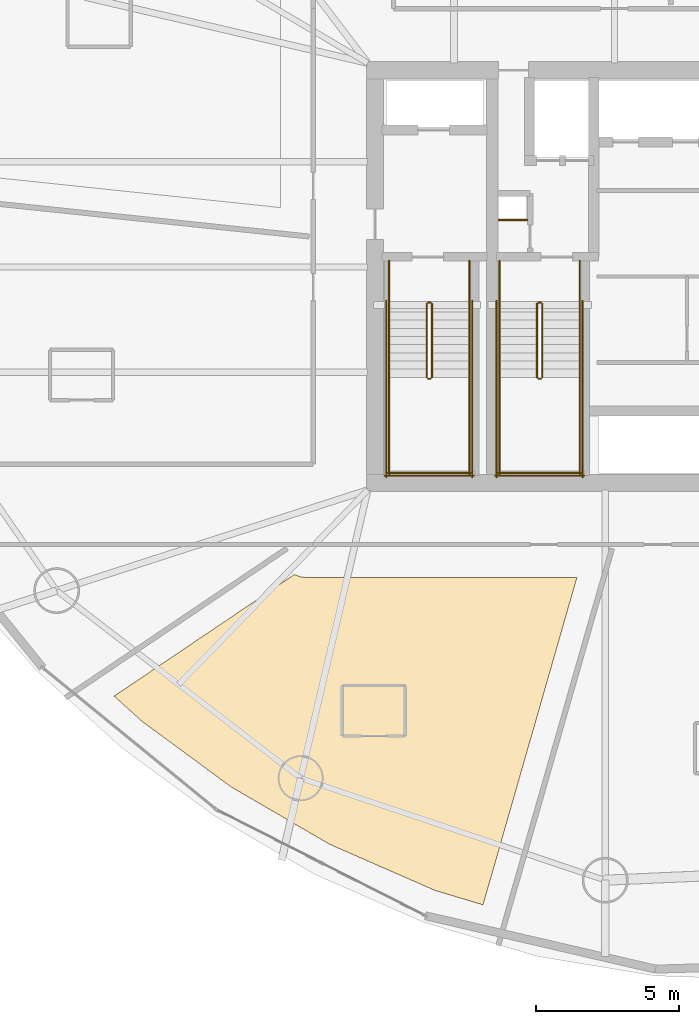
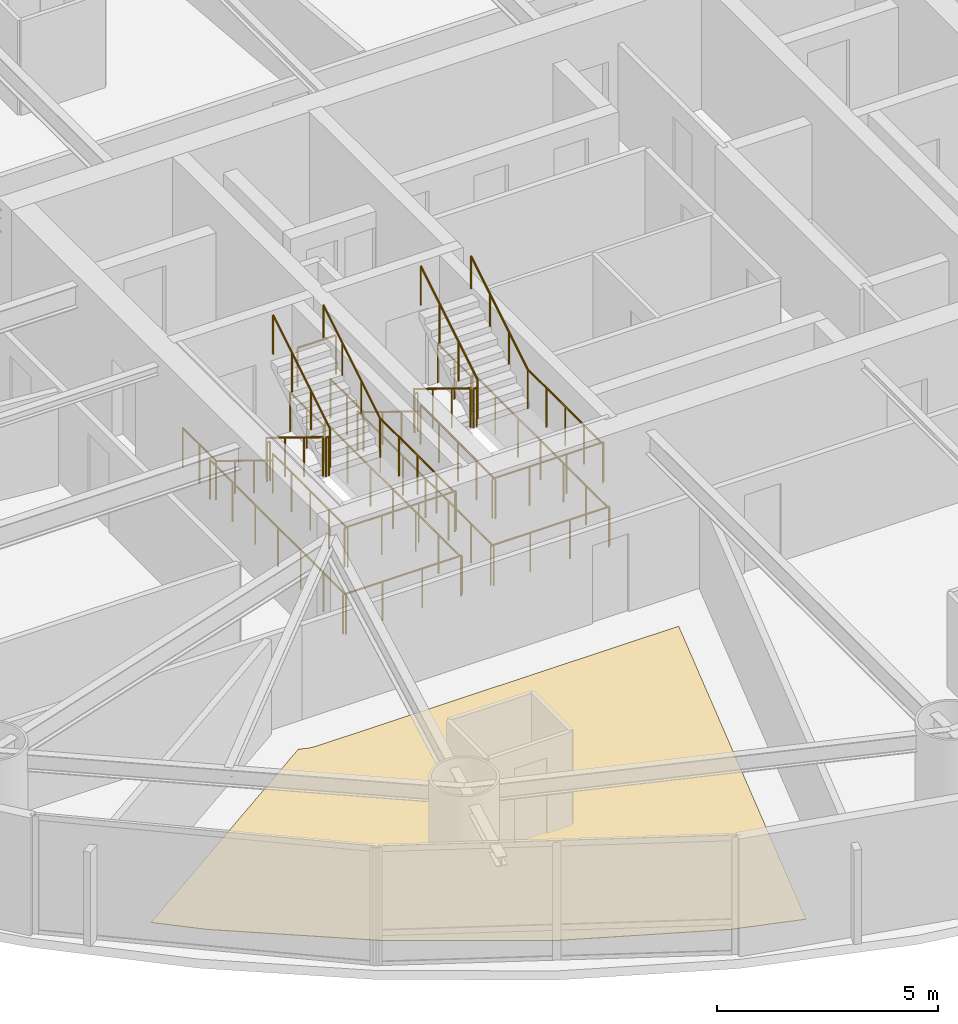
# One storey, part 18 of 20: 29 railings, 1 covering.
"""IFC4 building model written with IfcOpenShell, lengths in metres."""

from ifc_helpers import new_model, si_unit, direction, frame, origin, origin_2d, place, context, subcontext, project, spatial, polyline, circle, outline, extrude, material, layer, layer_set, type_object, element, save


model = new_model("IFC4")

# Units and contexts
model_context = context("Model", 3, precision=1e-05, world=origin(), true_north=direction((0.0, 1.0)))
body_context = subcontext(model_context, "Body", "Model", "MODEL_VIEW")
ifc_project = project(units=[si_unit("LENGTHUNIT", "METRE"), si_unit("AREAUNIT", "SQUARE_METRE"), si_unit("VOLUMEUNIT", "CUBIC_METRE"), si_unit("PLANEANGLEUNIT", "RADIAN"), si_unit("MASSUNIT", "GRAM", prefix="KILO")], contexts=[model_context])

# Site, building, storey
site_placement = place(None, origin())
site = spatial("IfcSite", under=ifc_project, at=site_placement, CompositionType="ELEMENT")
building_placement = place(site_placement, origin())
building = spatial("IfcBuilding", under=site, at=building_placement, Name="Bramvorn Convention Spire", CompositionType="ELEMENT")
storey_placement = place(building_placement, frame((0.0, 0.0, 58.89990234375)))
storey = spatial("IfcBuildingStorey", under=building, at=storey_placement, Name="L12", CompositionType="ELEMENT", Elevation=58.89990234375)

# Covering
ifc_material_1 = material(Name="Solution-Dyed Wool Broadloom Hospitality Carpet", Category="textile")
ifc_layer = layer(ifc_material_1, 0.014892578125)
ifc_layer_set = layer_set([ifc_layer], Name="Solution-Dyed Wool Broadloom Hospitality Carpet - FLR-CARPET-15")
covering_type = type_object("IfcCoveringType", Name="FLR-CARPET-15", PredefinedType="FLOORING", material=ifc_layer_set)
covering_placement = place(storey_placement, origin())
element("IfcCovering", 1, at=covering_placement, inside=storey, type_object=covering_type, Name="Hotel Suite 1207 wool broadloom carpet", PredefinedType="FLOORING", context=body_context, shape_type="SweptSolid", body=[
    extrude(outline(polyline([(17.89990234375, 11.356689453125), (18.862060546875, 10.484619140625), (21.997802734375, 8.179443359375), (25.42626953125, 6.18408203125), (29.0908203125, 4.578125), (30.776123046875, 4.072509765625), (34.052978515625, 15.5), (24.60009765625, 15.5), (24.42431640625, 15.517333984375), (24.190185546875, 15.599609375), (17.89990234375, 11.356689453125)])), origin(), (0.0, 0.0, 1.0), 0.01513671875),
])

# Railings
ifc_material_2 = material(Name="Painted Steel Balustrade & Guardrail", Category="steel")
railing_type_1 = type_object("IfcRailingType", Name="RL-STAIR-GUARD-1100", PredefinedType="GUARDRAIL", material=ifc_material_2)
railing_1_placement = place(storey_placement, frame((28.81005859375, 25.050048828125, 0.175048828125)))
element("IfcRailing", 2, at=railing_1_placement, inside=storey, type_object=railing_type_1, Name="L12 ST1 stair guard 1", PredefinedType="GUARDRAIL", context=body_context, shape_type="SweptSolid", body=[
    extrude(circle(Radius=0.02392578125, at=origin_2d()), frame((0.0, 0.0, 1.076171875), z_axis=(0.0, -0.852173129349, 0.523259933127), x_axis=(1.0, 0.0, 0.0)), (0.0, 0.0, 1.0), 3.009765625),
    extrude(circle(Radius=0.02099609375, at=origin_2d()), origin(), (0.0, 0.0, 1.0), 1.052001953125),
    extrude(circle(Radius=0.02099609375, at=origin_2d()), frame((0.0, -0.85498046875, 0.52490234375)), (0.0, 0.0, 1.0), 1.052001953125),
    extrude(circle(Radius=0.02099609375, at=origin_2d()), frame((0.0, -1.7099609375, 1.050048828125)), (0.0, 0.0, 1.0), 1.052001953125),
    extrude(circle(Radius=0.02099609375, at=origin_2d()), frame((0.0, -2.56494140625, 1.574951171875)), (0.0, 0.0, 1.0), 1.052001953125),
])
railing_2_placement = place(storey_placement, frame((28.860107421875, 22.43505859375, 1.75)))
element("IfcRailing", 3, at=railing_2_placement, inside=storey, type_object=railing_type_1, Name="L12 ST1 stair guard 2", PredefinedType="GUARDRAIL", context=body_context, shape_type="SweptSolid", body=[
    extrude(circle(Radius=0.02392578125, at=origin_2d()), frame((0.0, 0.0, 1.076171875), z_axis=(1.0, 0.0, 0.0), x_axis=(0.0, 1.0, 0.0)), (0.0, 0.0, 1.0), 0.079833984375),
    extrude(circle(Radius=0.02099609375, at=origin_2d()), origin(), (0.0, 0.0, 1.0), 1.052001953125),
    extrude(circle(Radius=0.02099609375, at=origin_2d()), frame((0.079833984375, 0.0, 0.0)), (0.0, 0.0, 1.0), 1.052001953125),
])
for number, where, name in (
    (4, (27.5, 22.485107421875, 1.75), "L12 ST1 stair guard 3"),
    (5, (30.300048828125, 22.485107421875, 1.75), "L12 ST1 stair guard 4"),
):
    element("IfcRailing", number, at=place(storey_placement, frame(where)), inside=storey, type_object=railing_type_1, Name=name, PredefinedType="GUARDRAIL", context=body_context, shape_type="SweptSolid", body=[
        extrude(circle(Radius=0.02392578125, at=origin_2d()), frame((0.0, 0.0, 1.076171875), z_axis=(0.0, -1.0, 0.0), x_axis=(1.0, 0.0, 0.0)), (0.0, 0.0, 1.0), 3.385009765625),
        extrude(circle(Radius=0.02099609375, at=origin_2d()), origin(), (0.0, 0.0, 1.0), 1.052001953125),
        extrude(circle(Radius=0.02099609375, at=origin_2d()), frame((0.0, -0.84619140625, 0.0)), (0.0, 0.0, 1.0), 1.052001953125),
        extrude(circle(Radius=0.02099609375, at=origin_2d()), frame((0.0, -1.6923828125, 0.0)), (0.0, 0.0, 1.0), 1.052001953125),
        extrude(circle(Radius=0.02099609375, at=origin_2d()), frame((0.0, -2.538818359375, 0.0)), (0.0, 0.0, 1.0), 1.052001953125),
        extrude(circle(Radius=0.02099609375, at=origin_2d()), frame((0.0, -3.385009765625, 0.0)), (0.0, 0.0, 1.0), 1.052001953125),
    ])
railing_3_placement = place(storey_placement, frame((27.449951171875, 19.14990234375, 1.75)))
element("IfcRailing", 6, at=railing_3_placement, inside=storey, type_object=railing_type_1, Name="L12 ST1 stair guard 5", PredefinedType="GUARDRAIL", context=body_context, shape_type="SweptSolid", body=[
    extrude(circle(Radius=0.02392578125, at=origin_2d()), frame((0.0, 0.0, 1.076171875), z_axis=(1.0, 0.0, 0.0), x_axis=(0.0, 1.0, 0.0)), (0.0, 0.0, 1.0), 2.900146484375),
    extrude(circle(Radius=0.02099609375, at=origin_2d()), origin(), (0.0, 0.0, 1.0), 1.052001953125),
    extrude(circle(Radius=0.02099609375, at=origin_2d()), frame((0.966796875, 0.0, 0.0)), (0.0, 0.0, 1.0), 1.052001953125),
    extrude(circle(Radius=0.02099609375, at=origin_2d()), frame((1.933349609375, 0.0, 0.0)), (0.0, 0.0, 1.0), 1.052001953125),
    extrude(circle(Radius=0.02099609375, at=origin_2d()), frame((2.900146484375, 0.0, 0.0)), (0.0, 0.0, 1.0), 1.052001953125),
])
railing_4_placement = place(storey_placement, frame((28.989990234375, 22.485107421875, 1.925048828125)))
element("IfcRailing", 7, at=railing_4_placement, inside=storey, type_object=railing_type_1, Name="L12 ST1 stair guard 6", PredefinedType="GUARDRAIL", context=body_context, shape_type="SweptSolid", body=[
    extrude(circle(Radius=0.02392578125, at=origin_2d()), frame((0.0, 0.0, 1.076171875), z_axis=(0.0, 0.852173129349, 0.523259933127), x_axis=(-1.0, 0.0, 0.0)), (0.0, 0.0, 1.0), 3.009765625),
    extrude(circle(Radius=0.02099609375, at=origin_2d()), origin(), (0.0, 0.0, 1.0), 1.052001953125),
    extrude(circle(Radius=0.02099609375, at=origin_2d()), frame((0.0, 0.85498046875, 0.52490234375)), (0.0, 0.0, 1.0), 1.052001953125),
    extrude(circle(Radius=0.02099609375, at=origin_2d()), frame((0.0, 1.7099609375, 1.050048828125)), (0.0, 0.0, 1.0), 1.052001953125),
    extrude(circle(Radius=0.02099609375, at=origin_2d()), frame((0.0, 2.56494140625, 1.574951171875)), (0.0, 0.0, 1.0), 1.052001953125),
])
railing_5_placement = place(storey_placement, frame((28.860107421875, 25.10009765625, 0.0)))
element("IfcRailing", 8, at=railing_5_placement, inside=storey, type_object=railing_type_1, Name="L12 ST1 stair guard 7", PredefinedType="GUARDRAIL", context=body_context, shape_type="SweptSolid", body=[
    extrude(circle(Radius=0.02392578125, at=origin_2d()), frame((0.0, 0.0, 1.076171875), z_axis=(1.0, 0.0, 0.0), x_axis=(0.0, 1.0, 0.0)), (0.0, 0.0, 1.0), 0.079833984375),
    extrude(circle(Radius=0.02099609375, at=origin_2d()), origin(), (0.0, 0.0, 1.0), 1.052001953125),
    extrude(circle(Radius=0.02099609375, at=origin_2d()), frame((0.079833984375, 0.0, 0.0)), (0.0, 0.0, 1.0), 1.052001953125),
])
for number, where, name in (
    (9, (27.5, 26.550048828125, 0.0), "L12 ST1 stair guard 8"),
    (10, (30.300048828125, 26.550048828125, 0.0), "L12 ST1 stair guard 9"),
):
    element("IfcRailing", number, at=place(storey_placement, frame(where)), inside=storey, type_object=railing_type_1, Name=name, PredefinedType="GUARDRAIL", context=body_context, shape_type="SweptSolid", body=[
        extrude(circle(Radius=0.02392578125, at=origin_2d()), frame((0.0, 0.0, 1.076171875), z_axis=(0.0, -1.0, 0.0), x_axis=(1.0, 0.0, 0.0)), (0.0, 0.0, 1.0), 1.5),
        extrude(circle(Radius=0.02099609375, at=origin_2d()), origin(), (0.0, 0.0, 1.0), 1.052001953125),
        extrude(circle(Radius=0.02099609375, at=origin_2d()), frame((0.0, -0.75, 0.0)), (0.0, 0.0, 1.0), 1.052001953125),
        extrude(circle(Radius=0.02099609375, at=origin_2d()), frame((0.0, -1.5, 0.0)), (0.0, 0.0, 1.0), 1.052001953125),
    ])
for number, where, name in (
    (11, (27.39990234375, 25.14990234375, 0.0), "L12 ST1 stair guard 10"),
    (12, (30.39990234375, 25.14990234375, 0.0), "L12 ST1 stair guard 11"),
):
    element("IfcRailing", number, at=place(storey_placement, frame(where)), inside=storey, type_object=railing_type_1, Name=name, PredefinedType="GUARDRAIL", context=body_context, shape_type="SweptSolid", body=[
        extrude(circle(Radius=0.02392578125, at=origin_2d()), frame((0.0, 0.0, 1.076171875), z_axis=(0.0, -1.0, 0.0), x_axis=(1.0, 0.0, 0.0)), (0.0, 0.0, 1.0), 6.14990234375),
        extrude(circle(Radius=0.02099609375, at=origin_2d()), origin(), (0.0, 0.0, 1.0), 1.052001953125),
        extrude(circle(Radius=0.02099609375, at=origin_2d()), frame((0.0, -1.02490234375, 0.0)), (0.0, 0.0, 1.0), 1.052001953125),
        extrude(circle(Radius=0.02099609375, at=origin_2d()), frame((0.0, -2.050048828125, 0.0)), (0.0, 0.0, 1.0), 1.052001953125),
        extrude(circle(Radius=0.02099609375, at=origin_2d()), frame((0.0, -3.074951171875, 0.0)), (0.0, 0.0, 1.0), 1.052001953125),
        extrude(circle(Radius=0.02099609375, at=origin_2d()), frame((0.0, -4.099853515625, 0.0)), (0.0, 0.0, 1.0), 1.052001953125),
        extrude(circle(Radius=0.02099609375, at=origin_2d()), frame((0.0, -5.125, 0.0)), (0.0, 0.0, 1.0), 1.052001953125),
        extrude(circle(Radius=0.02099609375, at=origin_2d()), frame((0.0, -6.14990234375, 0.0)), (0.0, 0.0, 1.0), 1.052001953125),
    ])
railing_6_placement = place(storey_placement, frame((27.35009765625, 19.050048828125, 0.0)))
element("IfcRailing", 13, at=railing_6_placement, inside=storey, type_object=railing_type_1, Name="L12 ST1 stair guard 12", PredefinedType="GUARDRAIL", context=body_context, shape_type="SweptSolid", body=[
    extrude(circle(Radius=0.02392578125, at=origin_2d()), frame((0.0, 0.0, 1.076171875), z_axis=(1.0, 0.0, 0.0), x_axis=(0.0, 1.0, 0.0)), (0.0, 0.0, 1.0), 3.099853515625),
    extrude(circle(Radius=0.02099609375, at=origin_2d()), origin(), (0.0, 0.0, 1.0), 1.052001953125),
    extrude(circle(Radius=0.02099609375, at=origin_2d()), frame((1.033203125, 0.0, 0.0)), (0.0, 0.0, 1.0), 1.052001953125),
    extrude(circle(Radius=0.02099609375, at=origin_2d()), frame((2.066650390625, 0.0, 0.0)), (0.0, 0.0, 1.0), 1.052001953125),
    extrude(circle(Radius=0.02099609375, at=origin_2d()), frame((3.099853515625, 0.0, 0.0)), (0.0, 0.0, 1.0), 1.052001953125),
])
railing_7_placement = place(storey_placement, frame((32.659912109375, 25.050048828125, 0.175048828125)))
element("IfcRailing", 14, at=railing_7_placement, inside=storey, type_object=railing_type_1, Name="L12 ST3 stair guard 1", PredefinedType="GUARDRAIL", context=body_context, shape_type="SweptSolid", body=[
    extrude(circle(Radius=0.02392578125, at=origin_2d()), frame((0.0, 0.0, 1.076171875), z_axis=(0.0, -0.852173129349, 0.523259933127), x_axis=(1.0, 0.0, 0.0)), (0.0, 0.0, 1.0), 3.009765625),
    extrude(circle(Radius=0.02099609375, at=origin_2d()), origin(), (0.0, 0.0, 1.0), 1.052001953125),
    extrude(circle(Radius=0.02099609375, at=origin_2d()), frame((0.0, -0.85498046875, 0.52490234375)), (0.0, 0.0, 1.0), 1.052001953125),
    extrude(circle(Radius=0.02099609375, at=origin_2d()), frame((0.0, -1.7099609375, 1.050048828125)), (0.0, 0.0, 1.0), 1.052001953125),
    extrude(circle(Radius=0.02099609375, at=origin_2d()), frame((0.0, -2.56494140625, 1.574951171875)), (0.0, 0.0, 1.0), 1.052001953125),
])
railing_8_placement = place(storey_placement, frame((32.7099609375, 22.43505859375, 1.75)))
element("IfcRailing", 15, at=railing_8_placement, inside=storey, type_object=railing_type_1, Name="L12 ST3 stair guard 2", PredefinedType="GUARDRAIL", context=body_context, shape_type="SweptSolid", body=[
    extrude(circle(Radius=0.02392578125, at=origin_2d()), frame((0.0, 0.0, 1.076171875), z_axis=(1.0, 0.0, 0.0), x_axis=(0.0, 1.0, 0.0)), (0.0, 0.0, 1.0), 0.080078125),
    extrude(circle(Radius=0.02099609375, at=origin_2d()), origin(), (0.0, 0.0, 1.0), 1.052001953125),
    extrude(circle(Radius=0.02099609375, at=origin_2d()), frame((0.080078125, 0.0, 0.0)), (0.0, 0.0, 1.0), 1.052001953125),
])
for number, where, name in (
    (16, (31.35009765625, 22.485107421875, 1.75), "L12 ST3 stair guard 3"),
    (17, (34.14990234375, 22.485107421875, 1.75), "L12 ST3 stair guard 4"),
):
    element("IfcRailing", number, at=place(storey_placement, frame(where)), inside=storey, type_object=railing_type_1, Name=name, PredefinedType="GUARDRAIL", context=body_context, shape_type="SweptSolid", body=[
        extrude(circle(Radius=0.02392578125, at=origin_2d()), frame((0.0, 0.0, 1.076171875), z_axis=(0.0, -1.0, 0.0), x_axis=(1.0, 0.0, 0.0)), (0.0, 0.0, 1.0), 3.385009765625),
        extrude(circle(Radius=0.02099609375, at=origin_2d()), origin(), (0.0, 0.0, 1.0), 1.052001953125),
        extrude(circle(Radius=0.02099609375, at=origin_2d()), frame((0.0, -0.84619140625, 0.0)), (0.0, 0.0, 1.0), 1.052001953125),
        extrude(circle(Radius=0.02099609375, at=origin_2d()), frame((0.0, -1.6923828125, 0.0)), (0.0, 0.0, 1.0), 1.052001953125),
        extrude(circle(Radius=0.02099609375, at=origin_2d()), frame((0.0, -2.538818359375, 0.0)), (0.0, 0.0, 1.0), 1.052001953125),
        extrude(circle(Radius=0.02099609375, at=origin_2d()), frame((0.0, -3.385009765625, 0.0)), (0.0, 0.0, 1.0), 1.052001953125),
    ])
railing_9_placement = place(storey_placement, frame((31.300048828125, 19.14990234375, 1.75)))
element("IfcRailing", 18, at=railing_9_placement, inside=storey, type_object=railing_type_1, Name="L12 ST3 stair guard 5", PredefinedType="GUARDRAIL", context=body_context, shape_type="SweptSolid", body=[
    extrude(circle(Radius=0.02392578125, at=origin_2d()), frame((0.0, 0.0, 1.076171875), z_axis=(1.0, 0.0, 0.0), x_axis=(0.0, 1.0, 0.0)), (0.0, 0.0, 1.0), 2.89990234375),
    extrude(circle(Radius=0.02099609375, at=origin_2d()), origin(), (0.0, 0.0, 1.0), 1.052001953125),
    extrude(circle(Radius=0.02099609375, at=origin_2d()), frame((0.966552734375, 0.0, 0.0)), (0.0, 0.0, 1.0), 1.052001953125),
    extrude(circle(Radius=0.02099609375, at=origin_2d()), frame((1.933349609375, 0.0, 0.0)), (0.0, 0.0, 1.0), 1.052001953125),
    extrude(circle(Radius=0.02099609375, at=origin_2d()), frame((2.89990234375, 0.0, 0.0)), (0.0, 0.0, 1.0), 1.052001953125),
])
railing_10_placement = place(storey_placement, frame((32.840087890625, 22.485107421875, 1.925048828125)))
element("IfcRailing", 19, at=railing_10_placement, inside=storey, type_object=railing_type_1, Name="L12 ST3 stair guard 6", PredefinedType="GUARDRAIL", context=body_context, shape_type="SweptSolid", body=[
    extrude(circle(Radius=0.02392578125, at=origin_2d()), frame((0.0, 0.0, 1.076171875), z_axis=(0.0, 0.852173129349, 0.523259933127), x_axis=(-1.0, 0.0, 0.0)), (0.0, 0.0, 1.0), 3.009765625),
    extrude(circle(Radius=0.02099609375, at=origin_2d()), origin(), (0.0, 0.0, 1.0), 1.052001953125),
    extrude(circle(Radius=0.02099609375, at=origin_2d()), frame((0.0, 0.85498046875, 0.52490234375)), (0.0, 0.0, 1.0), 1.052001953125),
    extrude(circle(Radius=0.02099609375, at=origin_2d()), frame((0.0, 1.7099609375, 1.050048828125)), (0.0, 0.0, 1.0), 1.052001953125),
    extrude(circle(Radius=0.02099609375, at=origin_2d()), frame((0.0, 2.56494140625, 1.574951171875)), (0.0, 0.0, 1.0), 1.052001953125),
])
railing_11_placement = place(storey_placement, frame((32.7099609375, 25.10009765625, 0.0)))
element("IfcRailing", 20, at=railing_11_placement, inside=storey, type_object=railing_type_1, Name="L12 ST3 stair guard 7", PredefinedType="GUARDRAIL", context=body_context, shape_type="SweptSolid", body=[
    extrude(circle(Radius=0.02392578125, at=origin_2d()), frame((0.0, 0.0, 1.076171875), z_axis=(1.0, 0.0, 0.0), x_axis=(0.0, 1.0, 0.0)), (0.0, 0.0, 1.0), 0.080078125),
    extrude(circle(Radius=0.02099609375, at=origin_2d()), origin(), (0.0, 0.0, 1.0), 1.052001953125),
    extrude(circle(Radius=0.02099609375, at=origin_2d()), frame((0.080078125, 0.0, 0.0)), (0.0, 0.0, 1.0), 1.052001953125),
])
for number, where, name in (
    (21, (31.35009765625, 26.550048828125, 0.0), "L12 ST3 stair guard 8"),
    (22, (34.14990234375, 26.550048828125, 0.0), "L12 ST3 stair guard 9"),
):
    element("IfcRailing", number, at=place(storey_placement, frame(where)), inside=storey, type_object=railing_type_1, Name=name, PredefinedType="GUARDRAIL", context=body_context, shape_type="SweptSolid", body=[
        extrude(circle(Radius=0.02392578125, at=origin_2d()), frame((0.0, 0.0, 1.076171875), z_axis=(0.0, -1.0, 0.0), x_axis=(1.0, 0.0, 0.0)), (0.0, 0.0, 1.0), 1.5),
        extrude(circle(Radius=0.02099609375, at=origin_2d()), origin(), (0.0, 0.0, 1.0), 1.052001953125),
        extrude(circle(Radius=0.02099609375, at=origin_2d()), frame((0.0, -0.75, 0.0)), (0.0, 0.0, 1.0), 1.052001953125),
        extrude(circle(Radius=0.02099609375, at=origin_2d()), frame((0.0, -1.5, 0.0)), (0.0, 0.0, 1.0), 1.052001953125),
    ])
for number, where, name in (
    (23, (31.25, 25.14990234375, 0.0), "L12 ST3 stair guard 10"),
    (24, (34.25, 25.14990234375, 0.0), "L12 ST3 stair guard 11"),
):
    element("IfcRailing", number, at=place(storey_placement, frame(where)), inside=storey, type_object=railing_type_1, Name=name, PredefinedType="GUARDRAIL", context=body_context, shape_type="SweptSolid", body=[
        extrude(circle(Radius=0.02392578125, at=origin_2d()), frame((0.0, 0.0, 1.076171875), z_axis=(0.0, -1.0, 0.0), x_axis=(1.0, 0.0, 0.0)), (0.0, 0.0, 1.0), 6.14990234375),
        extrude(circle(Radius=0.02099609375, at=origin_2d()), origin(), (0.0, 0.0, 1.0), 1.052001953125),
        extrude(circle(Radius=0.02099609375, at=origin_2d()), frame((0.0, -1.02490234375, 0.0)), (0.0, 0.0, 1.0), 1.052001953125),
        extrude(circle(Radius=0.02099609375, at=origin_2d()), frame((0.0, -2.050048828125, 0.0)), (0.0, 0.0, 1.0), 1.052001953125),
        extrude(circle(Radius=0.02099609375, at=origin_2d()), frame((0.0, -3.074951171875, 0.0)), (0.0, 0.0, 1.0), 1.052001953125),
        extrude(circle(Radius=0.02099609375, at=origin_2d()), frame((0.0, -4.099853515625, 0.0)), (0.0, 0.0, 1.0), 1.052001953125),
        extrude(circle(Radius=0.02099609375, at=origin_2d()), frame((0.0, -5.125, 0.0)), (0.0, 0.0, 1.0), 1.052001953125),
        extrude(circle(Radius=0.02099609375, at=origin_2d()), frame((0.0, -6.14990234375, 0.0)), (0.0, 0.0, 1.0), 1.052001953125),
    ])
railing_12_placement = place(storey_placement, frame((31.199951171875, 19.050048828125, 0.0)))
element("IfcRailing", 25, at=railing_12_placement, inside=storey, type_object=railing_type_1, Name="L12 ST3 stair guard 12", PredefinedType="GUARDRAIL", context=body_context, shape_type="SweptSolid", body=[
    extrude(circle(Radius=0.02392578125, at=origin_2d()), frame((0.0, 0.0, 1.076171875), z_axis=(1.0, 0.0, 0.0), x_axis=(0.0, 1.0, 0.0)), (0.0, 0.0, 1.0), 3.10009765625),
    extrude(circle(Radius=0.02099609375, at=origin_2d()), origin(), (0.0, 0.0, 1.0), 1.052001953125),
    extrude(circle(Radius=0.02099609375, at=origin_2d()), frame((1.033447265625, 0.0, 0.0)), (0.0, 0.0, 1.0), 1.052001953125),
    extrude(circle(Radius=0.02099609375, at=origin_2d()), frame((2.066650390625, 0.0, 0.0)), (0.0, 0.0, 1.0), 1.052001953125),
    extrude(circle(Radius=0.02099609375, at=origin_2d()), frame((3.10009765625, 0.0, 0.0)), (0.0, 0.0, 1.0), 1.052001953125),
])
railing_13_placement = place(storey_placement, frame((31.320068359375, 27.97998046875, 0.0)))
element("IfcRailing", 26, at=railing_13_placement, inside=storey, type_object=railing_type_1, Name="L12 Telecom riser shaft opening safety guardrail", PredefinedType="GUARDRAIL", context=body_context, shape_type="SweptSolid", body=[
    extrude(circle(Radius=0.02392578125, at=origin_2d()), frame((0.0, 0.0, 1.076171875), z_axis=(1.0, 0.0, 0.0), x_axis=(0.0, 1.0, 0.0)), (0.0, 0.0, 1.0), 1.0),
    extrude(circle(Radius=0.02099609375, at=origin_2d()), origin(), (0.0, 0.0, 1.0), 1.052001953125),
    extrude(circle(Radius=0.02099609375, at=origin_2d()), frame((1.0, 0.0, 0.0)), (0.0, 0.0, 1.0), 1.052001953125),
])
ifc_material_3 = material(Name="Brushed Bronze Tubular Handrail", Category="aluminium")
railing_type_2 = type_object("IfcRailingType", Name="RL-STAIR-HR-920", PredefinedType="HANDRAIL", material=ifc_material_3)
railing_14_placement = place(storey_placement, frame((27.5, 25.050048828125, 0.175048828125)))
element("IfcRailing", 27, at=railing_14_placement, inside=storey, type_object=railing_type_2, Name="L12 ST1 stair handrail 1", PredefinedType="HANDRAIL", context=body_context, shape_type="SweptSolid", body=[
    extrude(circle(Radius=0.02392578125, at=origin_2d()), frame((0.0, 0.0, 0.89599609375), z_axis=(0.0, -0.852173129349, 0.523259933127), x_axis=(1.0, 0.0, 0.0)), (0.0, 0.0, 1.0), 3.009765625),
    extrude(circle(Radius=0.02099609375, at=origin_2d()), origin(), (0.0, 0.0, 1.0), 0.871826171875),
    extrude(circle(Radius=0.02099609375, at=origin_2d()), frame((0.0, -0.85498046875, 0.52490234375)), (0.0, 0.0, 1.0), 0.871826171875),
    extrude(circle(Radius=0.02099609375, at=origin_2d()), frame((0.0, -1.7099609375, 1.050048828125)), (0.0, 0.0, 1.0), 0.871826171875),
    extrude(circle(Radius=0.02099609375, at=origin_2d()), frame((0.0, -2.56494140625, 1.574951171875)), (0.0, 0.0, 1.0), 0.871826171875),
])
railing_15_placement = place(storey_placement, frame((30.300048828125, 22.485107421875, 1.925048828125)))
element("IfcRailing", 28, at=railing_15_placement, inside=storey, type_object=railing_type_2, Name="L12 ST1 stair handrail 2", PredefinedType="HANDRAIL", context=body_context, shape_type="SweptSolid", body=[
    extrude(circle(Radius=0.02392578125, at=origin_2d()), frame((0.0, 0.0, 0.89599609375), z_axis=(0.0, 0.852173129349, 0.523259933127), x_axis=(-1.0, 0.0, 0.0)), (0.0, 0.0, 1.0), 3.009765625),
    extrude(circle(Radius=0.02099609375, at=origin_2d()), origin(), (0.0, 0.0, 1.0), 0.871826171875),
    extrude(circle(Radius=0.02099609375, at=origin_2d()), frame((0.0, 0.85498046875, 0.52490234375)), (0.0, 0.0, 1.0), 0.871826171875),
    extrude(circle(Radius=0.02099609375, at=origin_2d()), frame((0.0, 1.7099609375, 1.050048828125)), (0.0, 0.0, 1.0), 0.871826171875),
    extrude(circle(Radius=0.02099609375, at=origin_2d()), frame((0.0, 2.56494140625, 1.574951171875)), (0.0, 0.0, 1.0), 0.871826171875),
])
railing_16_placement = place(storey_placement, frame((31.35009765625, 25.050048828125, 0.175048828125)))
element("IfcRailing", 29, at=railing_16_placement, inside=storey, type_object=railing_type_2, Name="L12 ST3 stair handrail 1", PredefinedType="HANDRAIL", context=body_context, shape_type="SweptSolid", body=[
    extrude(circle(Radius=0.02392578125, at=origin_2d()), frame((0.0, 0.0, 0.89599609375), z_axis=(0.0, -0.852173129349, 0.523259933127), x_axis=(1.0, 0.0, 0.0)), (0.0, 0.0, 1.0), 3.009765625),
    extrude(circle(Radius=0.02099609375, at=origin_2d()), origin(), (0.0, 0.0, 1.0), 0.871826171875),
    extrude(circle(Radius=0.02099609375, at=origin_2d()), frame((0.0, -0.85498046875, 0.52490234375)), (0.0, 0.0, 1.0), 0.871826171875),
    extrude(circle(Radius=0.02099609375, at=origin_2d()), frame((0.0, -1.7099609375, 1.050048828125)), (0.0, 0.0, 1.0), 0.871826171875),
    extrude(circle(Radius=0.02099609375, at=origin_2d()), frame((0.0, -2.56494140625, 1.574951171875)), (0.0, 0.0, 1.0), 0.871826171875),
])
railing_17_placement = place(storey_placement, frame((34.14990234375, 22.485107421875, 1.925048828125)))
element("IfcRailing", 30, at=railing_17_placement, inside=storey, type_object=railing_type_2, Name="L12 ST3 stair handrail 2", PredefinedType="HANDRAIL", context=body_context, shape_type="SweptSolid", body=[
    extrude(circle(Radius=0.02392578125, at=origin_2d()), frame((0.0, 0.0, 0.89599609375), z_axis=(0.0, 0.852173129349, 0.523259933127), x_axis=(-1.0, 0.0, 0.0)), (0.0, 0.0, 1.0), 3.009765625),
    extrude(circle(Radius=0.02099609375, at=origin_2d()), origin(), (0.0, 0.0, 1.0), 0.871826171875),
    extrude(circle(Radius=0.02099609375, at=origin_2d()), frame((0.0, 0.85498046875, 0.52490234375)), (0.0, 0.0, 1.0), 0.871826171875),
    extrude(circle(Radius=0.02099609375, at=origin_2d()), frame((0.0, 1.7099609375, 1.050048828125)), (0.0, 0.0, 1.0), 0.871826171875),
    extrude(circle(Radius=0.02099609375, at=origin_2d()), frame((0.0, 2.56494140625, 1.574951171875)), (0.0, 0.0, 1.0), 0.871826171875),
])

save(model, "model.ifc")
